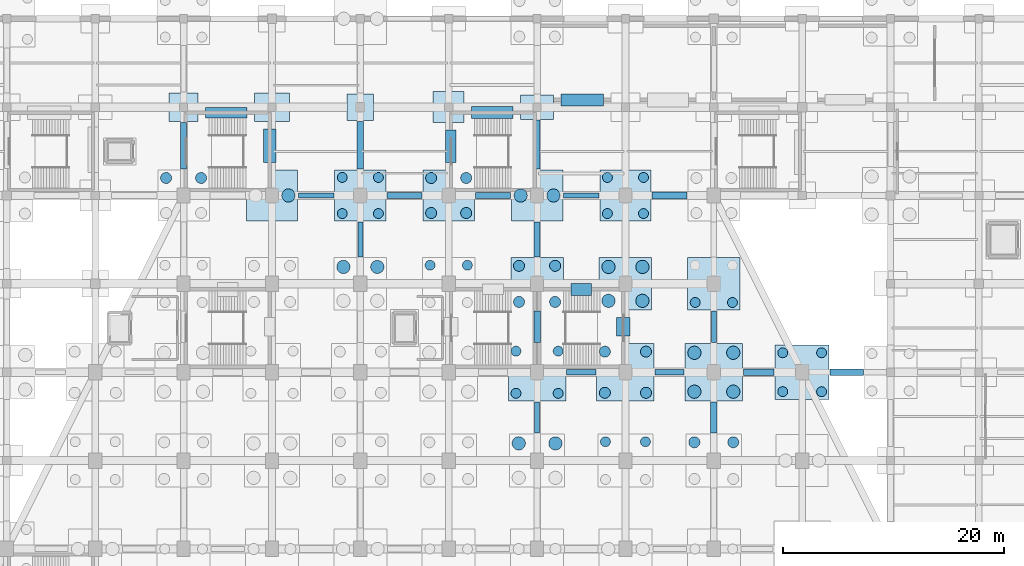
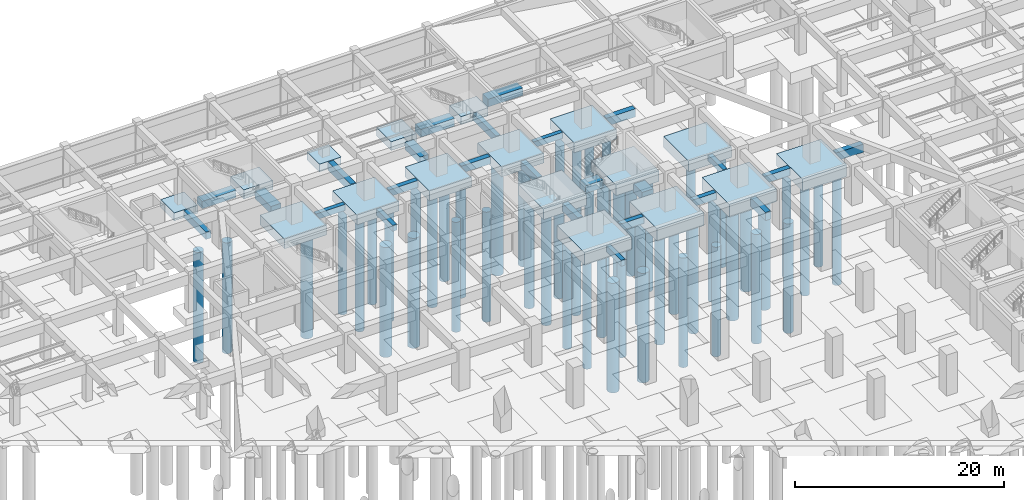
# One storey, part 11 of 36: 53 piles, 42 footings.
"""IFC4 building model written with IfcOpenShell, lengths in metres."""

import ifcopenshell
import ifcopenshell.guid

model = None  # the IFC model being written
_history = None  # IfcOwnerHistory: only IFC2X3 demands one
_inside = {}  # id of a spatial element -> (the spatial element, [elements in it])
_under = {}  # id of a project, library or spatial element -> (it, [spatial elements below it])
_declared = {}  # id of a project -> (the project, [libraries it declares])
_typed = {}  # id of a type object -> (the type object, [elements of that type])
_made_of = {}  # id of a material, layer set ... -> (it, [elements and type objects made of it])


def new_model(schema):
    """Start an empty IFC model of exactly this schema.

    Asked for "IFC4X3", IfcOpenShell would pick the latest addendum, in which some entities
    have other attributes; the version numbers below select the first issue.
    IFC2X3 requires an IfcOwnerHistory on every rooted entity: one is made here for all.
    """
    global model, _history
    if schema == "IFC4X3":
        model = ifcopenshell.file(schema_version=(4, 3, 0, 0))
    else:
        model = ifcopenshell.file(schema=schema)
    _inside.clear()
    _under.clear()
    _declared.clear()
    _typed.clear()
    _made_of.clear()
    _history = None
    if model.schema == "IFC2X3":
        org = make("IfcOrganization", Name="unknown")
        user = make(
            "IfcPersonAndOrganization",
            ThePerson=make("IfcPerson", FamilyName="unknown"),
            TheOrganization=org,
        )
        app = make(
            "IfcApplication",
            ApplicationDeveloper=org,
            Version="unknown",
            ApplicationFullName="unknown",
            ApplicationIdentifier="unknown",
        )
        _history = make(
            "IfcOwnerHistory",
            OwningUser=user,
            OwningApplication=app,
            ChangeAction="ADDED",
            CreationDate=0,
        )
    return model


def make(cls, **values):
    """One entity of the class cls with the attributes given. An attribute that is None is left unset."""
    return model.create_entity(
        cls, **{name: value for name, value in values.items() if value is not None}
    )


def rooted(cls, **values):
    """An entity with a GlobalId (a new one), such as an element, a storey or a relation."""
    return make(cls, GlobalId=ifcopenshell.guid.new(), OwnerHistory=_history, **values)


def si_unit(unit_type, name, prefix=None):
    """IfcSIUnit, for example si_unit("LENGTHUNIT", "METRE", prefix="MILLI")."""
    return make("IfcSIUnit", UnitType=unit_type, Prefix=prefix, Name=name)


def assignment(units):
    """IfcUnitAssignment: the units of a project."""
    return None if units is None else make("IfcUnitAssignment", Units=units)


def point(xyz):
    """IfcCartesianPoint."""
    return None if xyz is None else make("IfcCartesianPoint", Coordinates=xyz)


def direction(xyz):
    """IfcDirection."""
    return None if xyz is None else make("IfcDirection", DirectionRatios=xyz)


def frame(location, z_axis=None, x_axis=None):
    """IfcAxis2Placement3D, a coordinate frame: its origin and axes. An axis left out is left unset."""
    return make(
        "IfcAxis2Placement3D",
        Location=point(location),
        Axis=direction(z_axis),
        RefDirection=direction(x_axis),
    )


def frame_2d(location, x_axis=None):
    """IfcAxis2Placement2D, a coordinate frame in the plane: its origin and x axis."""
    return make(
        "IfcAxis2Placement2D", Location=point(location), RefDirection=direction(x_axis)
    )


def origin():
    """The frame at (0, 0, 0) with its axes left unset."""
    return frame((0.0, 0.0, 0.0))


def origin_2d():
    """The frame at (0, 0) in the plane with its x axis left unset."""
    return frame_2d((0.0, 0.0))


def place(relative_to, where):
    """IfcLocalPlacement: puts the frame where relative to a parent placement (None: the world)."""
    return make(
        "IfcLocalPlacement", PlacementRelTo=relative_to, RelativePlacement=where
    )


def context(
    kind, dimensions, precision=None, world=None, true_north=None, identifier=None
):
    """IfcGeometricRepresentationContext, for example the 3D "Model" context."""
    return make(
        "IfcGeometricRepresentationContext",
        ContextIdentifier=identifier,
        ContextType=kind,
        CoordinateSpaceDimension=dimensions,
        Precision=precision,
        WorldCoordinateSystem=world,
        TrueNorth=true_north,
    )


def subcontext(parent, identifier, kind, view, scale=None):
    """IfcGeometricRepresentationSubContext, for example "Body" below "Model"."""
    return make(
        "IfcGeometricRepresentationSubContext",
        ContextIdentifier=identifier,
        ContextType=kind,
        ParentContext=parent,
        TargetScale=scale,
        TargetView=view,
    )


def project(units=None, contexts=None):
    """IfcProject with its units and contexts."""
    return rooted(
        "IfcProject",
        Name="project",
        RepresentationContexts=contexts,
        UnitsInContext=assignment(units),
    )


def spatial(cls, under=None, at=None, **own):
    """A site, building, storey or space (cls), placed at a placement, below another one or the project."""
    s = rooted(cls, ObjectPlacement=at, **own)
    if under is not None:
        _under.setdefault(under.id(), (under, []))[1].append(s)
    return s


def profile(cls, at=None, kind="AREA", **sizes):
    """A parametric profile (cls). Its sizes go by their IFC names, for example OverallWidth=200.0."""
    return make(cls, ProfileType=kind, Position=at, **sizes)


def rectangle(**sizes):
    """IfcRectangleProfileDef."""
    return profile("IfcRectangleProfileDef", **sizes)


def circle(**sizes):
    """IfcCircleProfileDef."""
    return profile("IfcCircleProfileDef", **sizes)


def extrude(swept, where, along, depth):
    """IfcExtrudedAreaSolid: the profile swept, set in the frame where, extruded along a direction by depth."""
    return make(
        "IfcExtrudedAreaSolid",
        SweptArea=swept,
        Position=where,
        ExtrudedDirection=direction(along),
        Depth=depth,
    )


def shape(context_of_items, identifier, shape_type, items):
    """IfcShapeRepresentation: the items that make up one representation, for example the "Body"."""
    return make(
        "IfcShapeRepresentation",
        ContextOfItems=context_of_items,
        RepresentationIdentifier=identifier,
        RepresentationType=shape_type,
        Items=items,
    )


def material(Name=None, Category=None):
    """IfcMaterial."""
    return make("IfcMaterial", Name=Name, Category=Category)


def material_profile(
    of_material, cross_section, Name=None, Category=None, Priority=None
):
    """IfcMaterialProfile: a cross section and its material."""
    return make(
        "IfcMaterialProfile",
        Name=Name,
        Material=of_material,
        Profile=cross_section,
        Priority=Priority,
        Category=Category,
    )


def profile_set(profiles, Name=None, composite=None):
    """IfcMaterialProfileSet."""
    return make(
        "IfcMaterialProfileSet",
        Name=Name,
        MaterialProfiles=profiles,
        CompositeProfile=composite,
    )


def made_of(thing, what):
    """Note that an element or type object is made of a material, layer set ...; save() writes the relation."""
    if what is not None:
        _made_of.setdefault(what.id(), (what, []))[1].append(thing)
    return thing


def type_object(cls, material=None, **own):
    """A type object (cls), such as IfcWallType, which elements share."""
    return made_of(rooted(cls, **own), material)


def element(
    cls,
    number,
    at=None,
    inside=None,
    cuts=None,
    type_object=None,
    material=None,
    context=None,
    identifier="Body",
    shape_type=None,
    held_by="IfcProductDefinitionShape",
    body=None,
    shapes=None,
    **own,
):
    """One element of the class cls, such as IfcWall. Its Tag is "e" and its number.

    at: its placement. inside: the storey or other place that contains it. cuts: it is an
    opening in that element (IfcRelVoidsElement). A single representation is given by context,
    identifier, shape_type and body (its items); several are given by shapes. held_by: the class
    of the entity that holds the representations. save() writes the other relations.
    """
    e = rooted(cls, Tag="e%d" % number, ObjectPlacement=at, **own)
    if body is not None:
        shapes = [shape(context, identifier, shape_type, body)]
    if shapes is not None:
        e.Representation = make(held_by, Representations=shapes)
    if inside is not None:
        _inside.setdefault(inside.id(), (inside, []))[1].append(e)
    if cuts is not None:
        rooted(
            "IfcRelVoidsElement", RelatingBuildingElement=cuts, RelatedOpeningElement=e
        )
    if type_object is not None:
        _typed.setdefault(type_object.id(), (type_object, []))[1].append(e)
    return made_of(e, material)


def aggregate(whole, parts):
    """IfcRelAggregates: a whole, such as a stair, and the parts it consists of."""
    return rooted("IfcRelAggregates", RelatingObject=whole, RelatedObjects=parts)


def save(model, path):
    """Write the relations noted so far, then the file.

    IfcRelAggregates (storeys below a building ...), IfcRelContainedInSpatialStructure (elements
    in a storey), IfcRelDefinesByType, IfcRelAssociatesMaterial and IfcRelDeclares: one each for
    every whole, place, type object, material and project.
    """
    for whole, parts in _under.values():
        aggregate(whole, parts)
    for where, things in _inside.values():
        rooted(
            "IfcRelContainedInSpatialStructure",
            RelatedElements=things,
            RelatingStructure=where,
        )
    for kind, things in _typed.values():
        rooted("IfcRelDefinesByType", RelatedObjects=things, RelatingType=kind)
    for what, things in _made_of.values():
        rooted("IfcRelAssociatesMaterial", RelatedObjects=things, RelatingMaterial=what)
    for by, libraries in _declared.values():
        rooted("IfcRelDeclares", RelatingContext=by, RelatedDefinitions=libraries)
    model.write(path)


model = new_model("IFC4")

# Units and contexts
model_context = context("Model", 3, precision=1e-05, world=origin(), true_north=direction((0.0, 1.0)))
body_context = subcontext(model_context, "Body", "Model", "MODEL_VIEW")
ifc_project = project(units=[si_unit("LENGTHUNIT", "METRE"), si_unit("AREAUNIT", "SQUARE_METRE"), si_unit("VOLUMEUNIT", "CUBIC_METRE"), si_unit("PLANEANGLEUNIT", "RADIAN"), si_unit("MASSUNIT", "GRAM", prefix="KILO")], contexts=[model_context])

# Site, building, storey
site_placement = place(None, origin())
site = spatial("IfcSite", under=ifc_project, at=site_placement, CompositionType="ELEMENT")
building_placement = place(site_placement, origin())
building = spatial("IfcBuilding", under=site, at=building_placement, Name="Tazarka Park Arena", CompositionType="ELEMENT")
storey_placement = place(building_placement, frame((0.0, 0.0, -4.800048828125)))
storey = spatial("IfcBuildingStorey", under=building, at=storey_placement, Name="B1", CompositionType="ELEMENT", Elevation=-4.800048828125)

# Footings
ifc_material_1 = material(Name="Concrete C35/45", Category="concrete")
footing_type_1 = type_object("IfcFootingType", Name="CAP-PC-02", PredefinedType="PILE_CAP", material=ifc_material_1)
footing_1_placement = place(storey_placement, frame((120.0, 96.0, -1.39990234375), z_axis=(0.0, 0.0, 1.0), x_axis=(1.0, 0.0, 0.0)))
element("IfcFooting", 1, at=footing_1_placement, inside=storey, type_object=footing_type_1, Name="CAP-G-15-12", PredefinedType="PILE_CAP", context=body_context, shape_type="SweptSolid", body=[
    extrude(rectangle(XDim=4.89990234375, YDim=4.89990234375, at=origin_2d()), origin(), (0.0, 0.0, 1.0), 1.39990234375),
])
ifc_material_2 = material(Name="Concrete C35/45", Category="concrete")
footing_type_2 = type_object("IfcFootingType", Name="CAP-PC-05", PredefinedType="PILE_CAP", material=ifc_material_2)
for number, where, z_axis, x_axis, name in (
    (2, (96.0, 96.0, -1.5), (0.0, 0.0, 1.0), (1.0, 0.0, 0.0), "CAP-G-12-12"),
    (3, (104.0, 96.0, -1.5), (0.0, 0.0, 1.0), (1.0, 0.0, 0.0), "CAP-G-13-12"),
    (4, (112.0, 96.0, -1.5), (0.0, 0.0, 1.0), (1.0, 0.0, 0.0), "CAP-G-14-12"),
):
    element("IfcFooting", number, at=place(storey_placement, frame(where, z_axis=z_axis, x_axis=x_axis)), inside=storey, type_object=footing_type_2, Name=name, PredefinedType="PILE_CAP", context=body_context, shape_type="SweptSolid", body=[
        extrude(rectangle(XDim=5.199951171875, YDim=5.199951171875, at=origin_2d()), origin(), (0.0, 0.0, 1.0), 1.5),
    ])
ifc_material_3 = material(Name="Concrete C35/45", Category="concrete")
footing_type_3 = type_object("IfcFootingType", Name="CAP-PC-06", PredefinedType="PILE_CAP", material=ifc_material_3)
for number, where, z_axis, x_axis, name in (
    (5, (96.0, 104.0, -1.25), (0.0, 0.0, 1.0), (1.0, 0.0, 0.0), "CAP-G-12-13"),
    (6, (104.0, 104.0, -1.25), (0.0, 0.0, 1.0), (1.0, 0.0, 0.0), "CAP-G-13-13"),
    (7, (112.0, 104.0, -1.25), (0.0, 0.0, 1.0), (1.0, 0.0, 0.0), "CAP-G-14-13"),
):
    element("IfcFooting", number, at=place(storey_placement, frame(where, z_axis=z_axis, x_axis=x_axis)), inside=storey, type_object=footing_type_3, Name=name, PredefinedType="PILE_CAP", context=body_context, shape_type="SweptSolid", body=[
        extrude(rectangle(XDim=4.75, YDim=4.75, at=origin_2d()), origin(), (0.0, 0.0, 1.0), 1.25),
    ])
ifc_material_4 = material(Name="Concrete C35/45", Category="concrete")
footing_type_4 = type_object("IfcFootingType", Name="CAP-PC-07", PredefinedType="PILE_CAP", material=ifc_material_4)
for number, where, z_axis, x_axis, name in (
    (8, (72.0, 112.0, -1.14990234375), (0.0, 0.0, 1.0), (1.0, 0.0, 0.0), "CAP-G-09-14"),
    (9, (80.0, 112.0, -1.14990234375), (0.0, 0.0, 1.0), (1.0, 0.0, 0.0), "CAP-G-10-14"),
    (10, (88.0, 112.0, -1.14990234375), (0.0, 0.0, 1.0), (1.0, 0.0, 0.0), "CAP-G-11-14"),
    (11, (96.0, 112.0, -1.14990234375), (0.0, 0.0, 1.0), (1.0, 0.0, 0.0), "CAP-G-12-14"),
    (12, (104.0, 112.0, -1.14990234375), (0.0, 0.0, 1.0), (1.0, 0.0, 0.0), "CAP-G-13-14"),
):
    element("IfcFooting", number, at=place(storey_placement, frame(where, z_axis=z_axis, x_axis=x_axis)), inside=storey, type_object=footing_type_4, Name=name, PredefinedType="PILE_CAP", context=body_context, shape_type="SweptSolid", body=[
        extrude(rectangle(XDim=4.64990234375, YDim=4.64990234375, at=origin_2d()), origin(), (0.0, 0.0, 1.0), 1.14990234375),
    ])
ifc_material_5 = material(Name="Concrete C35/45", Category="concrete")
ifc_material_profile_1 = material_profile(ifc_material_5, rectangle(XDim=0.449951171875, YDim=0.699951171875, at=origin_2d()), Name="Concrete C35/45")
ifc_profile_set_1 = profile_set([ifc_material_profile_1], Name="Concrete C35/45")
footing_type_5 = type_object("IfcFootingType", Name="GB-GB-01", PredefinedType="FOOTING_BEAM", material=ifc_profile_set_1)
footing_2_placement = place(storey_placement, frame((74.405029296875, 112.0, -0.349853515625), z_axis=(1.0, 0.0, 0.0), x_axis=(0.0, 1.0, 0.0)))
element("IfcFooting", 13, at=footing_2_placement, inside=storey, type_object=footing_type_5, Name="GB-X-09-14", PredefinedType="FOOTING_BEAM", context=body_context, shape_type="SweptSolid", body=[
    extrude(rectangle(XDim=0.449951171875, YDim=0.699951171875, at=origin_2d()), origin(), (0.0, 0.0, 1.0), 3.18994140625),
])
footing_3_placement = place(storey_placement, frame((80.0, 106.455078125, -0.349853515625), z_axis=(0.0, 1.0, 0.0), x_axis=(-1.0, 0.0, 0.0)))
element("IfcFooting", 14, at=footing_3_placement, inside=storey, type_object=footing_type_5, Name="GB-Y-10-13", PredefinedType="FOOTING_BEAM", context=body_context, shape_type="SweptSolid", body=[
    extrude(rectangle(XDim=0.449951171875, YDim=0.699951171875, at=origin_2d()), origin(), (0.0, 0.0, 1.0), 3.139892578125),
])
footing_4_placement = place(storey_placement, frame((96.0, 90.47998046875, -0.349853515625), z_axis=(0.0, 1.0, 0.0), x_axis=(-1.0, 0.0, 0.0)))
element("IfcFooting", 15, at=footing_4_placement, inside=storey, type_object=footing_type_5, Name="GB-Y-12-11", PredefinedType="FOOTING_BEAM", context=body_context, shape_type="SweptSolid", body=[
    extrude(rectangle(XDim=0.449951171875, YDim=0.699951171875, at=origin_2d()), origin(), (0.0, 0.0, 1.0), 2.840087890625),
])
footing_5_placement = place(storey_placement, frame((98.405029296875, 112.0, -0.349853515625), z_axis=(1.0, 0.0, 0.0), x_axis=(0.0, 1.0, 0.0)))
element("IfcFooting", 16, at=footing_5_placement, inside=storey, type_object=footing_type_5, Name="GB-X-12-14", PredefinedType="FOOTING_BEAM", context=body_context, shape_type="SweptSolid", body=[
    extrude(rectangle(XDim=0.449951171875, YDim=0.699951171875, at=origin_2d()), origin(), (0.0, 0.0, 1.0), 3.18994140625),
])
footing_6_placement = place(storey_placement, frame((112.0, 98.679931640625, -0.349853515625), z_axis=(0.0, 1.0, 0.0), x_axis=(-1.0, 0.0, 0.0)))
element("IfcFooting", 17, at=footing_6_placement, inside=storey, type_object=footing_type_5, Name="GB-Y-14-12", PredefinedType="FOOTING_BEAM", context=body_context, shape_type="SweptSolid", body=[
    extrude(rectangle(XDim=0.449951171875, YDim=0.699951171875, at=origin_2d()), origin(), (0.0, 0.0, 1.0), 2.864990234375),
])
ifc_material_6 = material(Name="Concrete C35/45", Category="concrete")
ifc_material_profile_2 = material_profile(ifc_material_6, rectangle(XDim=0.5, YDim=0.800048828125, at=origin_2d()), Name="Concrete C35/45")
ifc_profile_set_2 = profile_set([ifc_material_profile_2], Name="Concrete C35/45")
footing_type_6 = type_object("IfcFootingType", Name="GB-GB-02", PredefinedType="FOOTING_BEAM", material=ifc_profile_set_2)
footing_7_placement = place(storey_placement, frame((82.405029296875, 112.0, -0.39990234375), z_axis=(1.0, 0.0, 0.0), x_axis=(0.0, 1.0, 0.0)))
element("IfcFooting", 18, at=footing_7_placement, inside=storey, type_object=footing_type_6, Name="GB-X-10-14", PredefinedType="FOOTING_BEAM", context=body_context, shape_type="SweptSolid", body=[
    extrude(rectangle(XDim=0.5, YDim=0.800048828125, at=origin_2d()), origin(), (0.0, 0.0, 1.0), 3.18994140625),
])
footing_8_placement = place(storey_placement, frame((98.679931640625, 96.0, -0.39990234375), z_axis=(1.0, 0.0, 0.0), x_axis=(0.0, 1.0, 0.0)))
element("IfcFooting", 19, at=footing_8_placement, inside=storey, type_object=footing_type_6, Name="GB-X-12-12", PredefinedType="FOOTING_BEAM", context=body_context, shape_type="SweptSolid", body=[
    extrude(rectangle(XDim=0.5, YDim=0.800048828125, at=origin_2d()), origin(), (0.0, 0.0, 1.0), 2.64013671875),
])
footing_9_placement = place(storey_placement, frame((96.0, 114.405029296875, -0.39990234375), z_axis=(0.0, 1.0, 0.0), x_axis=(-1.0, 0.0, 0.0)))
element("IfcFooting", 20, at=footing_9_placement, inside=storey, type_object=footing_type_6, Name="GB-Y-12-14", PredefinedType="FOOTING_BEAM", context=body_context, shape_type="SweptSolid", body=[
    extrude(rectangle(XDim=0.5, YDim=0.800048828125, at=origin_2d()), origin(), (0.0, 0.0, 1.0), 4.4150390625),
])
footing_10_placement = place(storey_placement, frame((106.679931640625, 96.0, -0.39990234375), z_axis=(1.0, 0.0, 0.0), x_axis=(0.0, 1.0, 0.0)))
element("IfcFooting", 21, at=footing_10_placement, inside=storey, type_object=footing_type_6, Name="GB-X-13-12", PredefinedType="FOOTING_BEAM", context=body_context, shape_type="SweptSolid", body=[
    extrude(rectangle(XDim=0.5, YDim=0.800048828125, at=origin_2d()), origin(), (0.0, 0.0, 1.0), 2.64013671875),
])
ifc_material_7 = material(Name="Concrete C35/45", Category="concrete")
ifc_material_profile_3 = material_profile(ifc_material_7, rectangle(XDim=0.60009765625, YDim=0.949951171875, at=origin_2d()), Name="Concrete C35/45")
ifc_profile_set_3 = profile_set([ifc_material_profile_3], Name="Concrete C35/45")
footing_type_7 = type_object("IfcFootingType", Name="GB-GB-03", PredefinedType="FOOTING_BEAM", material=ifc_profile_set_3)
footing_11_placement = place(storey_placement, frame((80.0, 114.405029296875, -0.474853515625), z_axis=(0.0, 1.0, 0.0), x_axis=(-1.0, 0.0, 0.0)))
element("IfcFooting", 22, at=footing_11_placement, inside=storey, type_object=footing_type_7, Name="GB-Y-10-14", PredefinedType="FOOTING_BEAM", context=body_context, shape_type="SweptSolid", body=[
    extrude(rectangle(XDim=0.60009765625, YDim=0.949951171875, at=origin_2d()), origin(), (0.0, 0.0, 1.0), 4.31494140625),
])
footing_12_placement = place(storey_placement, frame((96.0, 98.679931640625, -0.474853515625), z_axis=(0.0, 1.0, 0.0), x_axis=(-1.0, 0.0, 0.0)))
element("IfcFooting", 23, at=footing_12_placement, inside=storey, type_object=footing_type_7, Name="GB-Y-12-12", PredefinedType="FOOTING_BEAM", context=body_context, shape_type="SweptSolid", body=[
    extrude(rectangle(XDim=0.60009765625, YDim=0.949951171875, at=origin_2d()), origin(), (0.0, 0.0, 1.0), 2.864990234375),
])
footing_13_placement = place(storey_placement, frame((106.405029296875, 112.0, -0.474853515625), z_axis=(1.0, 0.0, 0.0), x_axis=(0.0, 1.0, 0.0)))
element("IfcFooting", 24, at=footing_13_placement, inside=storey, type_object=footing_type_7, Name="GB-X-13-14", PredefinedType="FOOTING_BEAM", context=body_context, shape_type="SweptSolid", body=[
    extrude(rectangle(XDim=0.60009765625, YDim=0.949951171875, at=origin_2d()), origin(), (0.0, 0.0, 1.0), 3.18994140625),
])
footing_14_placement = place(storey_placement, frame((112.0, 90.47998046875, -0.474853515625), z_axis=(0.0, 1.0, 0.0), x_axis=(-1.0, 0.0, 0.0)))
element("IfcFooting", 25, at=footing_14_placement, inside=storey, type_object=footing_type_7, Name="GB-Y-14-11", PredefinedType="FOOTING_BEAM", context=body_context, shape_type="SweptSolid", body=[
    extrude(rectangle(XDim=0.60009765625, YDim=0.949951171875, at=origin_2d()), origin(), (0.0, 0.0, 1.0), 2.840087890625),
])
footing_15_placement = place(storey_placement, frame((122.530029296875, 96.0, -0.474853515625), z_axis=(1.0, 0.0, 0.0), x_axis=(0.0, 1.0, 0.0)))
element("IfcFooting", 26, at=footing_15_placement, inside=storey, type_object=footing_type_7, Name="GB-X-15-12", PredefinedType="FOOTING_BEAM", context=body_context, shape_type="SweptSolid", body=[
    extrude(rectangle(XDim=0.60009765625, YDim=0.949951171875, at=origin_2d()), origin(), (0.0, 0.0, 1.0), 3.014892578125),
])
ifc_material_8 = material(Name="Concrete C35/45", Category="concrete")
ifc_material_profile_4 = material_profile(ifc_material_8, rectangle(XDim=0.550048828125, YDim=0.85009765625, at=origin_2d()), Name="Concrete C35/45")
ifc_profile_set_4 = profile_set([ifc_material_profile_4], Name="Concrete C35/45")
footing_type_8 = type_object("IfcFootingType", Name="GB-GB-04", PredefinedType="FOOTING_BEAM", material=ifc_profile_set_4)
footing_16_placement = place(storey_placement, frame((64.0, 114.405029296875, -0.425048828125), z_axis=(0.0, 1.0, 0.0), x_axis=(-1.0, 0.0, 0.0)))
element("IfcFooting", 27, at=footing_16_placement, inside=storey, type_object=footing_type_8, Name="GB-Y-08-14", PredefinedType="FOOTING_BEAM", context=body_context, shape_type="SweptSolid", body=[
    extrude(rectangle(XDim=0.550048828125, YDim=0.85009765625, at=origin_2d()), origin(), (0.0, 0.0, 1.0), 4.215087890625),
])
footing_17_placement = place(storey_placement, frame((90.405029296875, 112.0, -0.425048828125), z_axis=(1.0, 0.0, 0.0), x_axis=(0.0, 1.0, 0.0)))
element("IfcFooting", 28, at=footing_17_placement, inside=storey, type_object=footing_type_8, Name="GB-X-11-14", PredefinedType="FOOTING_BEAM", context=body_context, shape_type="SweptSolid", body=[
    extrude(rectangle(XDim=0.550048828125, YDim=0.85009765625, at=origin_2d()), origin(), (0.0, 0.0, 1.0), 3.18994140625),
])
footing_18_placement = place(storey_placement, frame((96.0, 106.455078125, -0.425048828125), z_axis=(0.0, 1.0, 0.0), x_axis=(-1.0, 0.0, 0.0)))
element("IfcFooting", 29, at=footing_18_placement, inside=storey, type_object=footing_type_8, Name="GB-Y-12-13", PredefinedType="FOOTING_BEAM", context=body_context, shape_type="SweptSolid", body=[
    extrude(rectangle(XDim=0.550048828125, YDim=0.85009765625, at=origin_2d()), origin(), (0.0, 0.0, 1.0), 3.139892578125),
])
footing_19_placement = place(storey_placement, frame((114.679931640625, 96.0, -0.425048828125), z_axis=(1.0, 0.0, 0.0), x_axis=(0.0, 1.0, 0.0)))
element("IfcFooting", 30, at=footing_19_placement, inside=storey, type_object=footing_type_8, Name="GB-X-14-12", PredefinedType="FOOTING_BEAM", context=body_context, shape_type="SweptSolid", body=[
    extrude(rectangle(XDim=0.550048828125, YDim=0.85009765625, at=origin_2d()), origin(), (0.0, 0.0, 1.0), 2.7900390625),
])
ifc_material_9 = material(Name="Concrete C35/45", Category="concrete")
footing_type_9 = type_object("IfcFootingType", Name="PAD-PF-01", PredefinedType="PAD_FOOTING", material=ifc_material_9)
footing_20_placement = place(storey_placement, frame((80.0, 120.0, -0.89990234375), z_axis=(0.0, 0.0, 1.0), x_axis=(1.0, 0.0, 0.0)))
element("IfcFooting", 31, at=footing_20_placement, inside=storey, type_object=footing_type_9, Name="PAD-G-10-15", PredefinedType="PAD_FOOTING", context=body_context, shape_type="SweptSolid", body=[
    extrude(rectangle(XDim=2.39990234375, YDim=2.39990234375, at=origin_2d()), origin(), (0.0, 0.0, 1.0), 0.89990234375),
])
ifc_material_10 = material(Name="Concrete C35/45", Category="concrete")
footing_type_10 = type_object("IfcFootingType", Name="PAD-PF-02", PredefinedType="PAD_FOOTING", material=ifc_material_10)
footing_21_placement = place(storey_placement, frame((88.0, 120.0, -1.0), z_axis=(0.0, 0.0, 1.0), x_axis=(1.0, 0.0, 0.0)))
element("IfcFooting", 32, at=footing_21_placement, inside=storey, type_object=footing_type_10, Name="PAD-G-11-15", PredefinedType="PAD_FOOTING", context=body_context, shape_type="SweptSolid", body=[
    extrude(rectangle(XDim=2.800048828125, YDim=2.800048828125, at=origin_2d()), origin(), (0.0, 0.0, 1.0), 1.0),
])
ifc_material_11 = material(Name="Concrete C35/45", Category="concrete")
footing_type_11 = type_object("IfcFootingType", Name="PAD-PF-03", PredefinedType="PAD_FOOTING", material=ifc_material_11)
footing_22_placement = place(storey_placement, frame((96.0, 120.0, -0.94970703125), z_axis=(0.0, 0.0, 1.0), x_axis=(1.0, 0.0, 0.0)))
element("IfcFooting", 33, at=footing_22_placement, inside=storey, type_object=footing_type_11, Name="PAD-G-12-15", PredefinedType="PAD_FOOTING", context=body_context, shape_type="SweptSolid", body=[
    extrude(rectangle(XDim=3.0, YDim=2.199951171875, at=origin_2d()), origin(), (0.0, 0.0, 1.0), 0.949951171875),
])
ifc_material_12 = material(Name="Concrete C35/45", Category="concrete")
footing_type_12 = type_object("IfcFootingType", Name="PAD-PF-04", PredefinedType="PAD_FOOTING", material=ifc_material_12)
footing_23_placement = place(storey_placement, frame((64.0, 120.0, -0.919921875), z_axis=(0.0, 0.0, 1.0), x_axis=(1.0, 0.0, 0.0)))
element("IfcFooting", 34, at=footing_23_placement, inside=storey, type_object=footing_type_12, Name="PAD-G-08-15", PredefinedType="PAD_FOOTING", context=body_context, shape_type="SweptSolid", body=[
    extrude(rectangle(XDim=2.60009765625, YDim=2.60009765625, at=origin_2d()), origin(), (0.0, 0.0, 1.0), 0.919921875),
])
ifc_material_13 = material(Name="Concrete C35/45", Category="concrete")
footing_type_13 = type_object("IfcFootingType", Name="PAD-PF-05", PredefinedType="PAD_FOOTING", material=ifc_material_13)
footing_24_placement = place(storey_placement, frame((72.0, 120.0, -1.0498046875), z_axis=(0.0, 0.0, 1.0), x_axis=(1.0, 0.0, 0.0)))
element("IfcFooting", 35, at=footing_24_placement, inside=storey, type_object=footing_type_13, Name="PAD-G-09-15", PredefinedType="PAD_FOOTING", context=body_context, shape_type="SweptSolid", body=[
    extrude(rectangle(XDim=3.199951171875, YDim=2.60009765625, at=origin_2d()), origin(), (0.0, 0.0, 1.0), 1.050048828125),
])

# Piles
ifc_material_14 = material(Name="Concrete C35/45", Category="concrete")
ifc_material_profile_5 = material_profile(ifc_material_14, circle(Radius=0.5, at=origin_2d()), Name="Concrete C35/45")
ifc_profile_set_5 = profile_set([ifc_material_profile_5], Name="Concrete C35/45")
pile_type_1 = type_object("IfcPileType", Name="PILE-D1000", PredefinedType="BORED", material=ifc_profile_set_5)
for number, where, z_axis, x_axis, name in (
    (36, (62.4150390625, 113.5849609375, -1.050048828125), (0.0, 0.0, -1.0), (1.0, 0.0, 0.0), "PLN-G-08-14-3"),
    (37, (65.5849609375, 113.5849609375, -1.050048828125), (0.0, 0.0, -1.0), (1.0, 0.0, 0.0), "PLN-G-08-14-4"),
    (38, (86.4150390625, 110.4150390625, -1.050048828125), (0.0, 0.0, -1.0), (1.0, 0.0, 0.0), "PLN-G-11-14-1"),
    (39, (89.5849609375, 110.4150390625, -1.050048828125), (0.0, 0.0, -1.0), (1.0, 0.0, 0.0), "PLN-G-11-14-2"),
    (40, (86.4150390625, 113.5849609375, -1.050048828125), (0.0, 0.0, -1.0), (1.0, 0.0, 0.0), "PLN-G-11-14-3"),
    (41, (89.5849609375, 113.5849609375, -1.050048828125), (0.0, 0.0, -1.0), (1.0, 0.0, 0.0), "PLN-G-11-14-4"),
):
    element("IfcPile", number, at=place(storey_placement, frame(where, z_axis=z_axis, x_axis=x_axis)), inside=storey, type_object=pile_type_1, Name=name, PredefinedType="BORED", context=body_context, shape_type="SweptSolid", body=[
        extrude(circle(Radius=0.5, at=origin_2d()), origin(), (0.0, 0.0, 1.0), 12.949951171875),
    ])
for number, where, z_axis, x_axis, name in (
    (42, (94.364990234375, 102.364990234375, -1.14990234375), (0.0, 0.0, -1.0), (1.0, 0.0, 0.0), "PLN-G-12-13-1"),
    (43, (97.635009765625, 102.364990234375, -1.14990234375), (0.0, 0.0, -1.0), (1.0, 0.0, 0.0), "PLN-G-12-13-2"),
    (44, (94.364990234375, 105.635009765625, -1.14990234375), (0.0, 0.0, -1.0), (1.0, 0.0, 0.0), "PLN-G-12-13-3"),
    (45, (97.635009765625, 105.635009765625, -1.14990234375), (0.0, 0.0, -1.0), (1.0, 0.0, 0.0), "PLN-G-12-13-4"),
):
    element("IfcPile", number, at=place(storey_placement, frame(where, z_axis=z_axis, x_axis=x_axis)), inside=storey, type_object=pile_type_1, Name=name, PredefinedType="BORED", context=body_context, shape_type="SweptSolid", body=[
        extrude(circle(Radius=0.5, at=origin_2d()), origin(), (0.0, 0.0, 1.0), 12.85009765625),
    ])
for number, where, z_axis, x_axis, name in (
    (46, (102.139892578125, 94.139892578125, -1.39990234375), (0.0, 0.0, -1.0), (1.0, 0.0, 0.0), "PLN-G-13-12-1"),
    (47, (105.860107421875, 94.139892578125, -1.39990234375), (0.0, 0.0, -1.0), (1.0, 0.0, 0.0), "PLN-G-13-12-2"),
    (48, (102.139892578125, 97.860107421875, -1.39990234375), (0.0, 0.0, -1.0), (1.0, 0.0, 0.0), "PLN-G-13-12-3"),
    (49, (105.860107421875, 97.860107421875, -1.39990234375), (0.0, 0.0, -1.0), (1.0, 0.0, 0.0), "PLN-G-13-12-4"),
):
    element("IfcPile", number, at=place(storey_placement, frame(where, z_axis=z_axis, x_axis=x_axis)), inside=storey, type_object=pile_type_1, Name=name, PredefinedType="BORED", context=body_context, shape_type="SweptSolid", body=[
        extrude(circle(Radius=0.5, at=origin_2d()), origin(), (0.0, 0.0, 1.0), 12.60009765625),
    ])
for number, where, z_axis, x_axis, name in (
    (50, (110.239990234375, 89.659912109375, -1.199951171875), (0.0, 0.0, -1.0), (1.0, 0.0, 0.0), "PLN-G-14-11-3"),
    (51, (113.760009765625, 89.659912109375, -1.199951171875), (0.0, 0.0, -1.0), (1.0, 0.0, 0.0), "PLN-G-14-11-4"),
):
    element("IfcPile", number, at=place(storey_placement, frame(where, z_axis=z_axis, x_axis=x_axis)), inside=storey, type_object=pile_type_1, Name=name, PredefinedType="BORED", context=body_context, shape_type="SweptSolid", body=[
        extrude(circle(Radius=0.5, at=origin_2d()), origin(), (0.0, 0.0, 1.0), 12.800048828125),
    ])
ifc_material_15 = material(Name="Concrete C35/45", Category="concrete")
ifc_material_profile_6 = material_profile(ifc_material_15, circle(Radius=0.60009765625, at=origin_2d()), Name="Concrete C35/45")
ifc_profile_set_6 = profile_set([ifc_material_profile_6], Name="Concrete C35/45")
pile_type_2 = type_object("IfcPileType", Name="PILE-D1200", PredefinedType="BORED", material=ifc_profile_set_6)
pile_placement = place(storey_placement, frame((73.485107421875, 112.0, -1.050048828125), z_axis=(0.0, 0.0, -1.0), x_axis=(1.0, 0.0, 0.0)))
element("IfcPile", 52, at=pile_placement, inside=storey, type_object=pile_type_2, Name="PLN-G-09-14-2", PredefinedType="BORED", context=body_context, shape_type="SweptSolid", body=[
    extrude(circle(Radius=0.60009765625, at=origin_2d()), origin(), (0.0, 0.0, 1.0), 12.949951171875),
])
for number, where, z_axis, x_axis, name in (
    (53, (78.465087890625, 105.534912109375, -1.14990234375), (0.0, 0.0, -1.0), (1.0, 0.0, 0.0), "PLN-G-10-13-3"),
    (54, (81.534912109375, 105.534912109375, -1.14990234375), (0.0, 0.0, -1.0), (1.0, 0.0, 0.0), "PLN-G-10-13-4"),
):
    element("IfcPile", number, at=place(storey_placement, frame(where, z_axis=z_axis, x_axis=x_axis)), inside=storey, type_object=pile_type_2, Name=name, PredefinedType="BORED", context=body_context, shape_type="SweptSolid", body=[
        extrude(circle(Radius=0.60009765625, at=origin_2d()), origin(), (0.0, 0.0, 1.0), 12.85009765625),
    ])
for number, where, z_axis, x_axis, name in (
    (55, (94.340087890625, 89.56005859375, -1.199951171875), (0.0, 0.0, -1.0), (1.0, 0.0, 0.0), "PLN-G-12-11-3"),
    (56, (97.659912109375, 89.56005859375, -1.199951171875), (0.0, 0.0, -1.0), (1.0, 0.0, 0.0), "PLN-G-12-11-4"),
):
    element("IfcPile", number, at=place(storey_placement, frame(where, z_axis=z_axis, x_axis=x_axis)), inside=storey, type_object=pile_type_2, Name=name, PredefinedType="BORED", context=body_context, shape_type="SweptSolid", body=[
        extrude(circle(Radius=0.60009765625, at=origin_2d()), origin(), (0.0, 0.0, 1.0), 12.800048828125),
    ])
for number, where, z_axis, x_axis, name in (
    (57, (94.514892578125, 112.0, -1.050048828125), (0.0, 0.0, -1.0), (1.0, 0.0, 0.0), "PLN-G-12-14-1"),
    (58, (97.485107421875, 112.0, -1.050048828125), (0.0, 0.0, -1.0), (1.0, 0.0, 0.0), "PLN-G-12-14-2"),
):
    element("IfcPile", number, at=place(storey_placement, frame(where, z_axis=z_axis, x_axis=x_axis)), inside=storey, type_object=pile_type_2, Name=name, PredefinedType="BORED", context=body_context, shape_type="SweptSolid", body=[
        extrude(circle(Radius=0.60009765625, at=origin_2d()), origin(), (0.0, 0.0, 1.0), 12.949951171875),
    ])
for number, where, z_axis, x_axis, name in (
    (59, (102.465087890625, 102.465087890625, -1.14990234375), (0.0, 0.0, -1.0), (1.0, 0.0, 0.0), "PLN-G-13-13-1"),
    (60, (105.534912109375, 102.465087890625, -1.14990234375), (0.0, 0.0, -1.0), (1.0, 0.0, 0.0), "PLN-G-13-13-2"),
    (61, (102.465087890625, 105.534912109375, -1.14990234375), (0.0, 0.0, -1.0), (1.0, 0.0, 0.0), "PLN-G-13-13-3"),
    (62, (105.534912109375, 105.534912109375, -1.14990234375), (0.0, 0.0, -1.0), (1.0, 0.0, 0.0), "PLN-G-13-13-4"),
):
    element("IfcPile", number, at=place(storey_placement, frame(where, z_axis=z_axis, x_axis=x_axis)), inside=storey, type_object=pile_type_2, Name=name, PredefinedType="BORED", context=body_context, shape_type="SweptSolid", body=[
        extrude(circle(Radius=0.60009765625, at=origin_2d()), origin(), (0.0, 0.0, 1.0), 12.85009765625),
    ])
for number, where, z_axis, x_axis, name in (
    (63, (110.239990234375, 94.239990234375, -1.39990234375), (0.0, 0.0, -1.0), (1.0, 0.0, 0.0), "PLN-G-14-12-1"),
    (64, (113.760009765625, 94.239990234375, -1.39990234375), (0.0, 0.0, -1.0), (1.0, 0.0, 0.0), "PLN-G-14-12-2"),
    (65, (110.239990234375, 97.760009765625, -1.39990234375), (0.0, 0.0, -1.0), (1.0, 0.0, 0.0), "PLN-G-14-12-3"),
    (66, (113.760009765625, 97.760009765625, -1.39990234375), (0.0, 0.0, -1.0), (1.0, 0.0, 0.0), "PLN-G-14-12-4"),
):
    element("IfcPile", number, at=place(storey_placement, frame(where, z_axis=z_axis, x_axis=x_axis)), inside=storey, type_object=pile_type_2, Name=name, PredefinedType="BORED", context=body_context, shape_type="SweptSolid", body=[
        extrude(circle(Radius=0.60009765625, at=origin_2d()), origin(), (0.0, 0.0, 1.0), 12.60009765625),
    ])
ifc_material_16 = material(Name="Concrete C35/45", Category="concrete")
ifc_material_profile_7 = material_profile(ifc_material_16, circle(Radius=0.449951171875, at=origin_2d()), Name="Concrete C35/45")
ifc_profile_set_7 = profile_set([ifc_material_profile_7], Name="Concrete C35/45")
pile_type_3 = type_object("IfcPileType", Name="PILE-D900", PredefinedType="BORED", material=ifc_profile_set_7)
for number, where, z_axis, x_axis, name in (
    (67, (78.364990234375, 110.364990234375, -1.050048828125), (0.0, 0.0, -1.0), (1.0, 0.0, 0.0), "PLN-G-10-14-1"),
    (68, (81.635009765625, 110.364990234375, -1.050048828125), (0.0, 0.0, -1.0), (1.0, 0.0, 0.0), "PLN-G-10-14-2"),
    (69, (78.364990234375, 113.635009765625, -1.050048828125), (0.0, 0.0, -1.0), (1.0, 0.0, 0.0), "PLN-G-10-14-3"),
    (70, (81.635009765625, 113.635009765625, -1.050048828125), (0.0, 0.0, -1.0), (1.0, 0.0, 0.0), "PLN-G-10-14-4"),
):
    element("IfcPile", number, at=place(storey_placement, frame(where, z_axis=z_axis, x_axis=x_axis)), inside=storey, type_object=pile_type_3, Name=name, PredefinedType="BORED", context=body_context, shape_type="SweptSolid", body=[
        extrude(circle(Radius=0.449951171875, at=origin_2d()), origin(), (0.0, 0.0, 1.0), 12.949951171875),
    ])
for number, where, z_axis, x_axis, name in (
    (71, (86.31494140625, 105.68505859375, -1.14990234375), (0.0, 0.0, -1.0), (1.0, 0.0, 0.0), "PLN-G-11-13-3"),
    (72, (89.68505859375, 105.68505859375, -1.14990234375), (0.0, 0.0, -1.0), (1.0, 0.0, 0.0), "PLN-G-11-13-4"),
):
    element("IfcPile", number, at=place(storey_placement, frame(where, z_axis=z_axis, x_axis=x_axis)), inside=storey, type_object=pile_type_3, Name=name, PredefinedType="BORED", context=body_context, shape_type="SweptSolid", body=[
        extrude(circle(Radius=0.449951171875, at=origin_2d()), origin(), (0.0, 0.0, 1.0), 12.85009765625),
    ])
for number, where, z_axis, x_axis, name in (
    (73, (94.090087890625, 94.090087890625, -1.39990234375), (0.0, 0.0, -1.0), (1.0, 0.0, 0.0), "PLN-G-12-12-1"),
    (74, (97.909912109375, 94.090087890625, -1.39990234375), (0.0, 0.0, -1.0), (1.0, 0.0, 0.0), "PLN-G-12-12-2"),
    (75, (94.090087890625, 97.909912109375, -1.39990234375), (0.0, 0.0, -1.0), (1.0, 0.0, 0.0), "PLN-G-12-12-3"),
    (76, (97.909912109375, 97.909912109375, -1.39990234375), (0.0, 0.0, -1.0), (1.0, 0.0, 0.0), "PLN-G-12-12-4"),
):
    element("IfcPile", number, at=place(storey_placement, frame(where, z_axis=z_axis, x_axis=x_axis)), inside=storey, type_object=pile_type_3, Name=name, PredefinedType="BORED", context=body_context, shape_type="SweptSolid", body=[
        extrude(circle(Radius=0.449951171875, at=origin_2d()), origin(), (0.0, 0.0, 1.0), 12.60009765625),
    ])
for number, where, z_axis, x_axis, name in (
    (77, (102.18994140625, 89.7099609375, -1.199951171875), (0.0, 0.0, -1.0), (1.0, 0.0, 0.0), "PLN-G-13-11-3"),
    (78, (105.81005859375, 89.7099609375, -1.199951171875), (0.0, 0.0, -1.0), (1.0, 0.0, 0.0), "PLN-G-13-11-4"),
):
    element("IfcPile", number, at=place(storey_placement, frame(where, z_axis=z_axis, x_axis=x_axis)), inside=storey, type_object=pile_type_3, Name=name, PredefinedType="BORED", context=body_context, shape_type="SweptSolid", body=[
        extrude(circle(Radius=0.449951171875, at=origin_2d()), origin(), (0.0, 0.0, 1.0), 12.800048828125),
    ])
for number, where, z_axis, x_axis, name in (
    (79, (102.364990234375, 110.364990234375, -1.050048828125), (0.0, 0.0, -1.0), (1.0, 0.0, 0.0), "PLN-G-13-14-1"),
    (80, (105.635009765625, 110.364990234375, -1.050048828125), (0.0, 0.0, -1.0), (1.0, 0.0, 0.0), "PLN-G-13-14-2"),
    (81, (102.364990234375, 113.635009765625, -1.050048828125), (0.0, 0.0, -1.0), (1.0, 0.0, 0.0), "PLN-G-13-14-3"),
    (82, (105.635009765625, 113.635009765625, -1.050048828125), (0.0, 0.0, -1.0), (1.0, 0.0, 0.0), "PLN-G-13-14-4"),
):
    element("IfcPile", number, at=place(storey_placement, frame(where, z_axis=z_axis, x_axis=x_axis)), inside=storey, type_object=pile_type_3, Name=name, PredefinedType="BORED", context=body_context, shape_type="SweptSolid", body=[
        extrude(circle(Radius=0.449951171875, at=origin_2d()), origin(), (0.0, 0.0, 1.0), 12.949951171875),
    ])
for number, where, z_axis, x_axis, name in (
    (83, (110.31494140625, 102.31494140625, -1.14990234375), (0.0, 0.0, -1.0), (1.0, 0.0, 0.0), "PLN-G-14-13-1"),
    (84, (113.68505859375, 102.31494140625, -1.14990234375), (0.0, 0.0, -1.0), (1.0, 0.0, 0.0), "PLN-G-14-13-2"),
):
    element("IfcPile", number, at=place(storey_placement, frame(where, z_axis=z_axis, x_axis=x_axis)), inside=storey, type_object=pile_type_3, Name=name, PredefinedType="BORED", context=body_context, shape_type="SweptSolid", body=[
        extrude(circle(Radius=0.449951171875, at=origin_2d()), origin(), (0.0, 0.0, 1.0), 12.85009765625),
    ])
for number, where, z_axis, x_axis, name in (
    (85, (118.239990234375, 94.239990234375, -1.300048828125), (0.0, 0.0, -1.0), (1.0, 0.0, 0.0), "PLN-G-15-12-1"),
    (86, (121.760009765625, 94.239990234375, -1.300048828125), (0.0, 0.0, -1.0), (1.0, 0.0, 0.0), "PLN-G-15-12-2"),
    (87, (118.239990234375, 97.760009765625, -1.300048828125), (0.0, 0.0, -1.0), (1.0, 0.0, 0.0), "PLN-G-15-12-3"),
    (88, (121.760009765625, 97.760009765625, -1.300048828125), (0.0, 0.0, -1.0), (1.0, 0.0, 0.0), "PLN-G-15-12-4"),
):
    element("IfcPile", number, at=place(storey_placement, frame(where, z_axis=z_axis, x_axis=x_axis)), inside=storey, type_object=pile_type_3, Name=name, PredefinedType="BORED", context=body_context, shape_type="SweptSolid", body=[
        extrude(circle(Radius=0.449951171875, at=origin_2d()), origin(), (0.0, 0.0, 1.0), 12.699951171875),
    ])

# Footings
ifc_material_17 = material(Name="Concrete C35/45", Category="concrete")
ifc_material_profile_8 = material_profile(ifc_material_17, rectangle(XDim=0.949951171875, YDim=0.85009765625, at=origin_2d()), Name="Concrete C35/45")
ifc_profile_set_8 = profile_set([ifc_material_profile_8], Name="Concrete C35/45")
footing_type_14 = type_object("IfcFootingType", Name="SF-SF-01", PredefinedType="STRIP_FOOTING", material=ifc_profile_set_8)
footing_25_placement = place(storey_placement, frame((65.97998046875, 119.5, -0.425048828125), z_axis=(1.0, 0.0, 0.0), x_axis=(0.0, 1.0, 0.0)))
element("IfcFooting", 89, at=footing_25_placement, inside=storey, type_object=footing_type_14, Name="SF-ST06-N-1", PredefinedType="STRIP_FOOTING", context=body_context, shape_type="SweptSolid", body=[
    extrude(rectangle(XDim=0.949951171875, YDim=0.85009765625, at=origin_2d()), origin(), (0.0, 0.0, 1.0), 3.739990234375),
])
footing_26_placement = place(storey_placement, frame((88.199951171875, 115.0048828125, -0.425048828125), z_axis=(0.0, 1.0, 0.0), x_axis=(-1.0, 0.0, 0.0)))
element("IfcFooting", 90, at=footing_26_placement, inside=storey, type_object=footing_type_14, Name="SF-ST07-W-1", PredefinedType="STRIP_FOOTING", context=body_context, shape_type="SweptSolid", body=[
    extrude(rectangle(XDim=0.949951171875, YDim=0.85009765625, at=origin_2d()), origin(), (0.0, 0.0, 1.0), 2.9150390625),
])
ifc_material_18 = material(Name="Concrete C35/45", Category="concrete")
ifc_material_profile_9 = material_profile(ifc_material_18, rectangle(XDim=1.10009765625, YDim=0.89990234375, at=origin_2d()), Name="Concrete C35/45")
ifc_profile_set_9 = profile_set([ifc_material_profile_9], Name="Concrete C35/45")
footing_type_15 = type_object("IfcFootingType", Name="SF-SF-02", PredefinedType="STRIP_FOOTING", material=ifc_profile_set_9)
footing_27_placement = place(storey_placement, frame((71.800048828125, 118.02001953125, -0.449951171875), z_axis=(0.0, -1.0, 0.0), x_axis=(1.0, 0.0, 0.0)))
element("IfcFooting", 91, at=footing_27_placement, inside=storey, type_object=footing_type_15, Name="SF-ST06-E-1", PredefinedType="STRIP_FOOTING", context=body_context, shape_type="SweptSolid", body=[
    extrude(rectangle(XDim=1.10009765625, YDim=0.89990234375, at=origin_2d()), origin(), (0.0, 0.0, 1.0), 3.01513671875),
])
footing_28_placement = place(storey_placement, frame((90.080078125, 119.5, -0.449951171875), z_axis=(1.0, 0.0, 0.0), x_axis=(0.0, 1.0, 0.0)))
element("IfcFooting", 92, at=footing_28_placement, inside=storey, type_object=footing_type_15, Name="SF-ST07-N-1", PredefinedType="STRIP_FOOTING", context=body_context, shape_type="SweptSolid", body=[
    extrude(rectangle(XDim=1.10009765625, YDim=0.89990234375, at=origin_2d()), origin(), (0.0, 0.0, 1.0), 3.739990234375),
])
footing_29_placement = place(storey_placement, frame((99.054931640625, 103.5, -0.449951171875), z_axis=(1.0, 0.0, 0.0), x_axis=(0.0, 1.0, 0.0)))
element("IfcFooting", 93, at=footing_29_placement, inside=storey, type_object=footing_type_15, Name="SF-ST10-N-1", PredefinedType="STRIP_FOOTING", context=body_context, shape_type="SweptSolid", body=[
    extrude(rectangle(XDim=1.10009765625, YDim=0.89990234375, at=origin_2d()), origin(), (0.0, 0.0, 1.0), 1.89013671875),
])
footing_30_placement = place(storey_placement, frame((98.179931640625, 120.64990234375, -0.449951171875), z_axis=(1.0, 0.0, 0.0), x_axis=(0.0, 1.0, 0.0)))
element("IfcFooting", 94, at=footing_30_placement, inside=storey, type_object=footing_type_15, Name="SF-VRW-S-1", PredefinedType="STRIP_FOOTING", context=body_context, shape_type="SweptSolid", body=[
    extrude(rectangle(XDim=1.10009765625, YDim=0.89990234375, at=origin_2d()), origin(), (0.0, 0.0, 1.0), 3.840087890625),
])
ifc_material_19 = material(Name="Concrete C35/45", Category="concrete")
ifc_material_profile_10 = material_profile(ifc_material_19, rectangle(XDim=1.25, YDim=0.949951171875, at=origin_2d()), Name="Concrete C35/45")
ifc_profile_set_10 = profile_set([ifc_material_profile_10], Name="Concrete C35/45")
footing_type_16 = type_object("IfcFootingType", Name="SF-SF-03", PredefinedType="STRIP_FOOTING", material=ifc_profile_set_10)
footing_31_placement = place(storey_placement, frame((103.800048828125, 100.945068359375, -0.474853515625), z_axis=(0.0, -1.0, 0.0), x_axis=(1.0, 0.0, 0.0)))
element("IfcFooting", 95, at=footing_31_placement, inside=storey, type_object=footing_type_16, Name="SF-ST10-E-1", PredefinedType="STRIP_FOOTING", context=body_context, shape_type="SweptSolid", body=[
    extrude(rectangle(XDim=1.25, YDim=0.949951171875, at=origin_2d()), origin(), (0.0, 0.0, 1.0), 1.6650390625),
])

save(model, "model.ifc")
